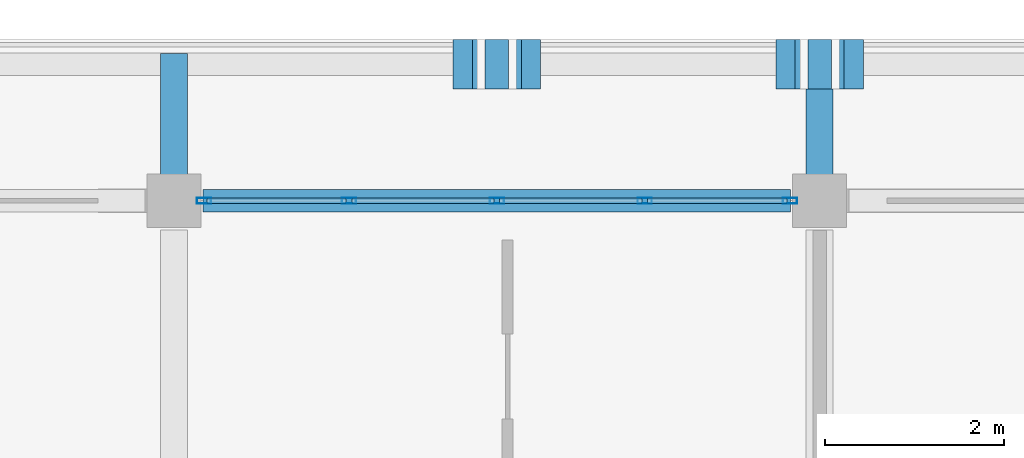
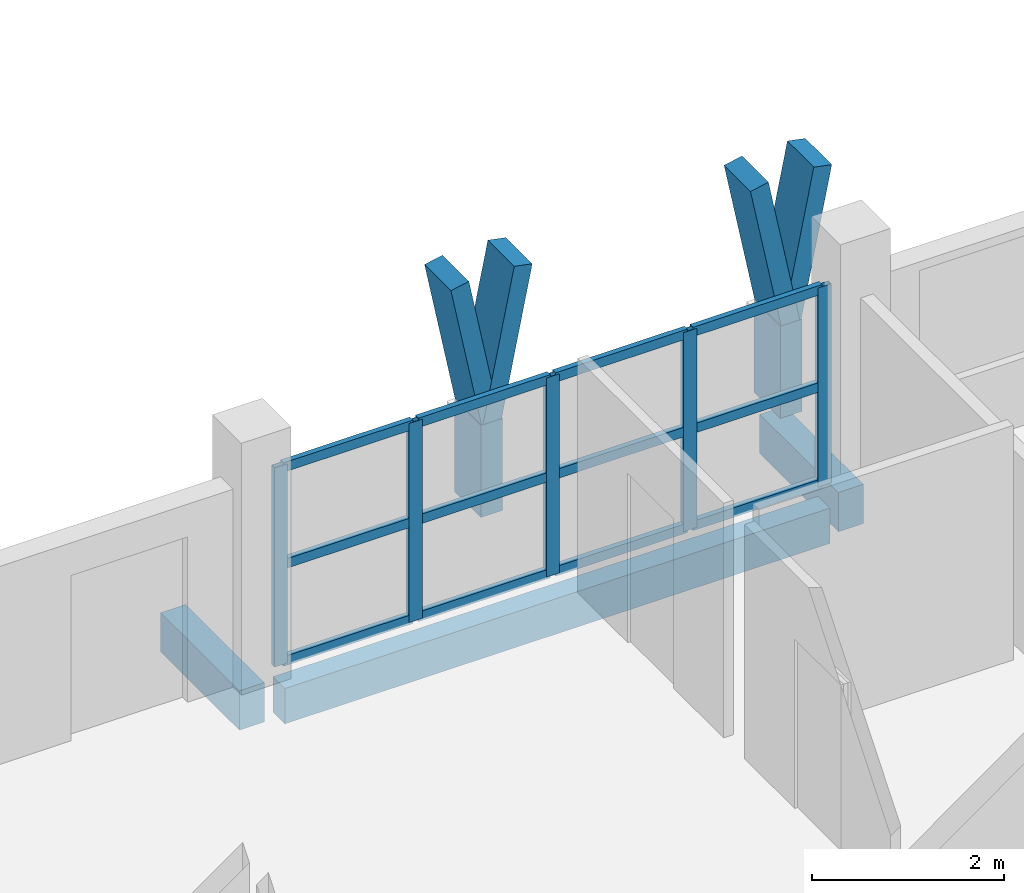
# One storey, part 17 of 73: 23 members, 3 beams, 1 element without a shape of its own.
"""IFC4 building model written with IfcOpenShell, lengths in metres."""

import ifcopenshell
import ifcopenshell.guid

model = None  # the IFC model being written
_history = None  # IfcOwnerHistory: only IFC2X3 demands one
_inside = {}  # id of a spatial element -> (the spatial element, [elements in it])
_under = {}  # id of a project, library or spatial element -> (it, [spatial elements below it])
_declared = {}  # id of a project -> (the project, [libraries it declares])
_typed = {}  # id of a type object -> (the type object, [elements of that type])
_made_of = {}  # id of a material, layer set ... -> (it, [elements and type objects made of it])


def new_model(schema):
    """Start an empty IFC model of exactly this schema.

    Asked for "IFC4X3", IfcOpenShell would pick the latest addendum, in which some entities
    have other attributes; the version numbers below select the first issue.
    IFC2X3 requires an IfcOwnerHistory on every rooted entity: one is made here for all.
    """
    global model, _history
    if schema == "IFC4X3":
        model = ifcopenshell.file(schema_version=(4, 3, 0, 0))
    else:
        model = ifcopenshell.file(schema=schema)
    _inside.clear()
    _under.clear()
    _declared.clear()
    _typed.clear()
    _made_of.clear()
    _history = None
    if model.schema == "IFC2X3":
        org = make("IfcOrganization", Name="unknown")
        user = make(
            "IfcPersonAndOrganization",
            ThePerson=make("IfcPerson", FamilyName="unknown"),
            TheOrganization=org,
        )
        app = make(
            "IfcApplication",
            ApplicationDeveloper=org,
            Version="unknown",
            ApplicationFullName="unknown",
            ApplicationIdentifier="unknown",
        )
        _history = make(
            "IfcOwnerHistory",
            OwningUser=user,
            OwningApplication=app,
            ChangeAction="ADDED",
            CreationDate=0,
        )
    return model


def make(cls, **values):
    """One entity of the class cls with the attributes given. An attribute that is None is left unset."""
    return model.create_entity(
        cls, **{name: value for name, value in values.items() if value is not None}
    )


def rooted(cls, **values):
    """An entity with a GlobalId (a new one), such as an element, a storey or a relation."""
    return make(cls, GlobalId=ifcopenshell.guid.new(), OwnerHistory=_history, **values)


def si_unit(unit_type, name, prefix=None):
    """IfcSIUnit, for example si_unit("LENGTHUNIT", "METRE", prefix="MILLI")."""
    return make("IfcSIUnit", UnitType=unit_type, Prefix=prefix, Name=name)


def assignment(units):
    """IfcUnitAssignment: the units of a project."""
    return None if units is None else make("IfcUnitAssignment", Units=units)


def point(xyz):
    """IfcCartesianPoint."""
    return None if xyz is None else make("IfcCartesianPoint", Coordinates=xyz)


def direction(xyz):
    """IfcDirection."""
    return None if xyz is None else make("IfcDirection", DirectionRatios=xyz)


def frame(location, z_axis=None, x_axis=None):
    """IfcAxis2Placement3D, a coordinate frame: its origin and axes. An axis left out is left unset."""
    return make(
        "IfcAxis2Placement3D",
        Location=point(location),
        Axis=direction(z_axis),
        RefDirection=direction(x_axis),
    )


def frame_2d(location, x_axis=None):
    """IfcAxis2Placement2D, a coordinate frame in the plane: its origin and x axis."""
    return make(
        "IfcAxis2Placement2D", Location=point(location), RefDirection=direction(x_axis)
    )


def origin():
    """The frame at (0, 0, 0) with its axes left unset."""
    return frame((0.0, 0.0, 0.0))


def origin_2d():
    """The frame at (0, 0) in the plane with its x axis left unset."""
    return frame_2d((0.0, 0.0))


def place(relative_to, where):
    """IfcLocalPlacement: puts the frame where relative to a parent placement (None: the world)."""
    return make(
        "IfcLocalPlacement", PlacementRelTo=relative_to, RelativePlacement=where
    )


def context(
    kind, dimensions, precision=None, world=None, true_north=None, identifier=None
):
    """IfcGeometricRepresentationContext, for example the 3D "Model" context."""
    return make(
        "IfcGeometricRepresentationContext",
        ContextIdentifier=identifier,
        ContextType=kind,
        CoordinateSpaceDimension=dimensions,
        Precision=precision,
        WorldCoordinateSystem=world,
        TrueNorth=true_north,
    )


def subcontext(parent, identifier, kind, view, scale=None):
    """IfcGeometricRepresentationSubContext, for example "Body" below "Model"."""
    return make(
        "IfcGeometricRepresentationSubContext",
        ContextIdentifier=identifier,
        ContextType=kind,
        ParentContext=parent,
        TargetScale=scale,
        TargetView=view,
    )


def project(units=None, contexts=None):
    """IfcProject with its units and contexts."""
    return rooted(
        "IfcProject",
        Name="project",
        RepresentationContexts=contexts,
        UnitsInContext=assignment(units),
    )


def spatial(cls, under=None, at=None, **own):
    """A site, building, storey or space (cls), placed at a placement, below another one or the project."""
    s = rooted(cls, ObjectPlacement=at, **own)
    if under is not None:
        _under.setdefault(under.id(), (under, []))[1].append(s)
    return s


def profile(cls, at=None, kind="AREA", **sizes):
    """A parametric profile (cls). Its sizes go by their IFC names, for example OverallWidth=200.0."""
    return make(cls, ProfileType=kind, Position=at, **sizes)


def rectangle(**sizes):
    """IfcRectangleProfileDef."""
    return profile("IfcRectangleProfileDef", **sizes)


def hollow_rectangle(**sizes):
    """IfcRectangleHollowProfileDef."""
    return profile("IfcRectangleHollowProfileDef", **sizes)


def extrude(swept, where, along, depth):
    """IfcExtrudedAreaSolid: the profile swept, set in the frame where, extruded along a direction by depth."""
    return make(
        "IfcExtrudedAreaSolid",
        SweptArea=swept,
        Position=where,
        ExtrudedDirection=direction(along),
        Depth=depth,
    )


def shape(context_of_items, identifier, shape_type, items):
    """IfcShapeRepresentation: the items that make up one representation, for example the "Body"."""
    return make(
        "IfcShapeRepresentation",
        ContextOfItems=context_of_items,
        RepresentationIdentifier=identifier,
        RepresentationType=shape_type,
        Items=items,
    )


def material(Name=None, Category=None):
    """IfcMaterial."""
    return make("IfcMaterial", Name=Name, Category=Category)


def material_profile(
    of_material, cross_section, Name=None, Category=None, Priority=None
):
    """IfcMaterialProfile: a cross section and its material."""
    return make(
        "IfcMaterialProfile",
        Name=Name,
        Material=of_material,
        Profile=cross_section,
        Priority=Priority,
        Category=Category,
    )


def profile_set(profiles, Name=None, composite=None):
    """IfcMaterialProfileSet."""
    return make(
        "IfcMaterialProfileSet",
        Name=Name,
        MaterialProfiles=profiles,
        CompositeProfile=composite,
    )


def made_of(thing, what):
    """Note that an element or type object is made of a material, layer set ...; save() writes the relation."""
    if what is not None:
        _made_of.setdefault(what.id(), (what, []))[1].append(thing)
    return thing


def type_object(cls, material=None, **own):
    """A type object (cls), such as IfcWallType, which elements share."""
    return made_of(rooted(cls, **own), material)


def element(
    cls,
    number,
    at=None,
    inside=None,
    cuts=None,
    type_object=None,
    material=None,
    context=None,
    identifier="Body",
    shape_type=None,
    held_by="IfcProductDefinitionShape",
    body=None,
    shapes=None,
    **own,
):
    """One element of the class cls, such as IfcWall. Its Tag is "e" and its number.

    at: its placement. inside: the storey or other place that contains it. cuts: it is an
    opening in that element (IfcRelVoidsElement). A single representation is given by context,
    identifier, shape_type and body (its items); several are given by shapes. held_by: the class
    of the entity that holds the representations. save() writes the other relations.
    """
    e = rooted(cls, Tag="e%d" % number, ObjectPlacement=at, **own)
    if body is not None:
        shapes = [shape(context, identifier, shape_type, body)]
    if shapes is not None:
        e.Representation = make(held_by, Representations=shapes)
    if inside is not None:
        _inside.setdefault(inside.id(), (inside, []))[1].append(e)
    if cuts is not None:
        rooted(
            "IfcRelVoidsElement", RelatingBuildingElement=cuts, RelatedOpeningElement=e
        )
    if type_object is not None:
        _typed.setdefault(type_object.id(), (type_object, []))[1].append(e)
    return made_of(e, material)


def aggregate(whole, parts):
    """IfcRelAggregates: a whole, such as a stair, and the parts it consists of."""
    return rooted("IfcRelAggregates", RelatingObject=whole, RelatedObjects=parts)


def save(model, path):
    """Write the relations noted so far, then the file.

    IfcRelAggregates (storeys below a building ...), IfcRelContainedInSpatialStructure (elements
    in a storey), IfcRelDefinesByType, IfcRelAssociatesMaterial and IfcRelDeclares: one each for
    every whole, place, type object, material and project.
    """
    for whole, parts in _under.values():
        aggregate(whole, parts)
    for where, things in _inside.values():
        rooted(
            "IfcRelContainedInSpatialStructure",
            RelatedElements=things,
            RelatingStructure=where,
        )
    for kind, things in _typed.values():
        rooted("IfcRelDefinesByType", RelatedObjects=things, RelatingType=kind)
    for what, things in _made_of.values():
        rooted("IfcRelAssociatesMaterial", RelatedObjects=things, RelatingMaterial=what)
    for by, libraries in _declared.values():
        rooted("IfcRelDeclares", RelatingContext=by, RelatedDefinitions=libraries)
    model.write(path)


model = new_model("IFC4")

# Units and contexts
model_context = context("Model", 3, precision=1e-05, world=origin(), true_north=direction((0.0, 1.0)))
body_context = subcontext(model_context, "Body", "Model", "MODEL_VIEW")
ifc_project = project(units=[si_unit("LENGTHUNIT", "METRE"), si_unit("AREAUNIT", "SQUARE_METRE"), si_unit("VOLUMEUNIT", "CUBIC_METRE"), si_unit("PLANEANGLEUNIT", "RADIAN"), si_unit("MASSUNIT", "GRAM", prefix="KILO")], contexts=[model_context])

# Site, building, storey
site_placement = place(None, origin())
site = spatial("IfcSite", under=ifc_project, at=site_placement, CompositionType="ELEMENT")
building_placement = place(site_placement, origin())
building = spatial("IfcBuilding", under=site, at=building_placement, Name="Suanplinth Sawtooth Commons", CompositionType="ELEMENT")
storey_placement = place(building_placement, frame((0.0, 0.0, 21.89990234375)))
storey = spatial("IfcBuildingStorey", under=building, at=storey_placement, Name="L06", CompositionType="ELEMENT", Elevation=21.89990234375)

# Beams
ifc_material_1 = material(Name="Precast concrete C40/50", Category="concrete")
ifc_material_profile_1 = material_profile(ifc_material_1, rectangle(XDim=0.300048828125, YDim=0.5, at=origin_2d()), Name="PC-BM 300x500")
ifc_profile_set_1 = profile_set([ifc_material_profile_1], Name="Precast concrete C40/50")
beam_type_1 = type_object("IfcBeamType", Name="B-07", PredefinedType="BEAM", material=ifc_profile_set_1)
for number, where, z_axis, x_axis, name in (
    (1, (86.39990234375, 122.39990234375, -0.429931640625), (0.0, 1.0, 0.0), (-1.0, 0.0, 0.0), "Balcony Outrigger L06-A-N-12"),
    (2, (93.60009765625, 122.39990234375, -0.429931640625), (0.0, 1.0, 0.0), (-1.0, 0.0, 0.0), "Balcony Outrigger L06-A-N-13"),
):
    element("IfcBeam", number, at=place(storey_placement, frame(where, z_axis=z_axis, x_axis=x_axis)), inside=storey, type_object=beam_type_1, Name=name, PredefinedType="BEAM", context=body_context, shape_type="SweptSolid", body=[
        extrude(rectangle(XDim=0.300048828125, YDim=0.5, at=origin_2d()), origin(), (0.0, 0.0, 1.0), 1.64013671875),
    ])
ifc_material_profile_2 = material_profile(ifc_material_1, rectangle(XDim=0.25, YDim=0.449951171875, at=origin_2d()), Name="PC-SP 250x450")
ifc_profile_set_2 = profile_set([ifc_material_profile_2], Name="Precast concrete C40/50")
beam_type_2 = type_object("IfcBeamType", Name="B-09", PredefinedType="SPANDREL", material=ifc_profile_set_2)
beam_placement = place(storey_placement, frame((86.72509765625, 122.39990234375, -0.46484375), z_axis=(1.0, 0.0, 0.0), x_axis=(0.0, 1.0, 0.0)))
element("IfcBeam", 3, at=beam_placement, inside=storey, type_object=beam_type_2, Name="BMX-L06-A-12-17", PredefinedType="SPANDREL", context=body_context, shape_type="SweptSolid", body=[
    extrude(rectangle(XDim=0.25, YDim=0.449951171875, at=origin_2d()), origin(), (0.0, 0.0, 1.0), 6.5498046875),
])

# Members
ifc_material_2 = material(Name="Pigmented precast concrete C40/50", Category="concrete")
ifc_material_profile_3 = material_profile(ifc_material_2, rectangle(XDim=0.260009765625, YDim=0.550048828125, at=origin_2d()), Name="PC-FIN 260x550")
ifc_profile_set_3 = profile_set([ifc_material_profile_3], Name="Pigmented precast concrete C40/50")
member_type_1 = type_object("IfcMemberType", Name="M-09", PredefinedType="USERDEFINED", material=ifc_profile_set_3)
for number, where, z_axis, x_axis, name in (
    (4, (90.0, 123.919921875, 0.0), (0.0, 0.0, 1.0), (1.0, 0.0, 0.0), "Y-Blade Stem L06-A-N-07"),
    (5, (93.60009765625, 123.919921875, 0.0), (0.0, 0.0, 1.0), (1.0, 0.0, 0.0), "Y-Blade Stem L06-A-N-08"),
):
    element("IfcMember", number, at=place(storey_placement, frame(where, z_axis=z_axis, x_axis=x_axis)), inside=storey, type_object=member_type_1, Name=name, ObjectType="SHADING FIN", PredefinedType="USERDEFINED", context=body_context, shape_type="SweptSolid", body=[
        extrude(rectangle(XDim=0.260009765625, YDim=0.550048828125, at=origin_2d()), origin(), (0.0, 0.0, 1.0), 1.170166015625),
    ])
ifc_material_profile_4 = material_profile(ifc_material_2, rectangle(XDim=0.219970703125, YDim=0.550048828125, at=origin_2d()), Name="PC-FIN 220x550")
ifc_profile_set_4 = profile_set([ifc_material_profile_4], Name="Pigmented precast concrete C40/50")
member_type_2 = type_object("IfcMemberType", Name="M-10", PredefinedType="USERDEFINED", material=ifc_profile_set_4)
for number, where, z_axis, x_axis, name in (
    (6, (90.0, 123.919921875, 1.130126953125), (-0.196431120402, 0.0, 0.980517626021), (0.980517626021, 0.0, 0.196431120402), "Y-Blade Arm L L06-A-N-07"),
    (7, (90.0, 123.919921875, 1.130126953125), (0.196431120402, 0.0, 0.980517626021), (-0.980517626021, 0.0, 0.196431120402), "Y-Blade Arm R L06-A-N-07"),
    (8, (93.60009765625, 123.919921875, 1.130126953125), (-0.196431120402, 0.0, 0.980517626021), (0.980517626021, 0.0, 0.196431120402), "Y-Blade Arm L L06-A-N-08"),
):
    element("IfcMember", number, at=place(storey_placement, frame(where, z_axis=z_axis, x_axis=x_axis)), inside=storey, type_object=member_type_2, Name=name, ObjectType="SHADING FIN", PredefinedType="USERDEFINED", context=body_context, shape_type="SweptSolid", body=[
        extrude(rectangle(XDim=0.219970703125, YDim=0.550048828125, at=origin_2d()), origin(), (0.0, 0.0, 1.0), 1.937744140625),
    ])
member_1_placement = place(storey_placement, frame((93.60009765625, 123.919921875, 1.130126953125), z_axis=(0.196309979414, 0.0, 0.980541886909), x_axis=(-0.980541886909, 0.0, 0.196309979414)))
element("IfcMember", 9, at=member_1_placement, inside=storey, type_object=member_type_2, Name="Y-Blade Arm R L06-A-N-08", ObjectType="SHADING FIN", PredefinedType="USERDEFINED", context=body_context, shape_type="SweptSolid", body=[
    extrude(rectangle(XDim=0.219970703125, YDim=0.550048828125, at=origin_2d()), origin(), (0.0, 0.0, 1.0), 1.9375),
])

# Curtain wall, members
ifc_material_3 = material(Name="Anodized aluminium and low-E glazing", Category="aluminium")
curtain_wall_type = type_object("IfcCurtainWallType", Name="CW-06", PredefinedType="USERDEFINED", material=ifc_material_3)
curtain_wall_placement = place(storey_placement, origin())
curtain_wall = element("IfcCurtainWall", 10, at=curtain_wall_placement, inside=storey, type_object=curtain_wall_type, Name="Curtain Wall CW-L06-A-LOUNGE-11", ObjectType="CURTAIN WALL", PredefinedType="USERDEFINED")
ifc_material_4 = material(Name="Anodized aluminium 6063-T6", Category="aluminium")
ifc_material_profile_5 = material_profile(ifc_material_4, hollow_rectangle(XDim=0.06494140625, YDim=0.159912109375, WallThickness=0.00390625, at=origin_2d()), Name="ALU-MUL 65x160")
ifc_profile_set_5 = profile_set([ifc_material_profile_5], Name="Anodized aluminium 6063-T6")
member_type_3 = type_object("IfcMemberType", Name="M-13", PredefinedType="MULLION", material=ifc_profile_set_5)
member_2_placement = place(storey_placement, frame((86.732421875, 122.39990234375, 0.0), z_axis=(0.0, 0.0, 1.0), x_axis=(0.0, 1.0, 0.0)))
member_2 = element("IfcMember", 11, at=member_2_placement, type_object=member_type_3, Name="CW-06 mullion 1", PredefinedType="MULLION", context=body_context, shape_type="SweptSolid", body=[
    extrude(hollow_rectangle(XDim=0.06494140625, YDim=0.159912109375, WallThickness=0.00390625, at=origin_2d()), origin(), (0.0, 0.0, 1.0), 2.530029296875),
])
member_3_placement = place(storey_placement, frame((88.35009765625, 122.39990234375, 0.0), z_axis=(0.0, 0.0, 1.0), x_axis=(0.0, 1.0, 0.0)))
member_3 = element("IfcMember", 12, at=member_3_placement, type_object=member_type_3, Name="CW-06 mullion 2", PredefinedType="MULLION", context=body_context, shape_type="SweptSolid", body=[
    extrude(hollow_rectangle(XDim=0.06494140625, YDim=0.159912109375, WallThickness=0.00390625, at=origin_2d()), origin(), (0.0, 0.0, 1.0), 2.530029296875),
])
member_4_placement = place(storey_placement, frame((90.0, 122.39990234375, 0.0), z_axis=(0.0, 0.0, 1.0), x_axis=(0.0, 1.0, 0.0)))
member_4 = element("IfcMember", 13, at=member_4_placement, type_object=member_type_3, Name="CW-06 mullion 3", PredefinedType="MULLION", context=body_context, shape_type="SweptSolid", body=[
    extrude(hollow_rectangle(XDim=0.06494140625, YDim=0.159912109375, WallThickness=0.00390625, at=origin_2d()), origin(), (0.0, 0.0, 1.0), 2.530029296875),
])
member_5_placement = place(storey_placement, frame((91.64990234375, 122.39990234375, 0.0), z_axis=(0.0, 0.0, 1.0), x_axis=(0.0, 1.0, 0.0)))
member_5 = element("IfcMember", 14, at=member_5_placement, type_object=member_type_3, Name="CW-06 mullion 4", PredefinedType="MULLION", context=body_context, shape_type="SweptSolid", body=[
    extrude(hollow_rectangle(XDim=0.06494140625, YDim=0.159912109375, WallThickness=0.00390625, at=origin_2d()), origin(), (0.0, 0.0, 1.0), 2.530029296875),
])
member_6_placement = place(storey_placement, frame((93.267578125, 122.39990234375, 0.0), z_axis=(0.0, 0.0, 1.0), x_axis=(0.0, 1.0, 0.0)))
member_6 = element("IfcMember", 15, at=member_6_placement, type_object=member_type_3, Name="CW-06 mullion 5", PredefinedType="MULLION", context=body_context, shape_type="SweptSolid", body=[
    extrude(hollow_rectangle(XDim=0.06494140625, YDim=0.159912109375, WallThickness=0.00390625, at=origin_2d()), origin(), (0.0, 0.0, 1.0), 2.530029296875),
])
ifc_material_profile_6 = material_profile(ifc_material_4, hollow_rectangle(XDim=0.06494140625, YDim=0.1201171875, WallThickness=0.00390625, at=origin_2d()), Name="ALU-TRN 65x120")
ifc_profile_set_6 = profile_set([ifc_material_profile_6], Name="Anodized aluminium 6063-T6")
member_type_4 = type_object("IfcMemberType", Name="M-15", PredefinedType="USERDEFINED", material=ifc_profile_set_6)
member_7_placement = place(storey_placement, frame((86.764892578125, 122.39990234375, 0.03271484375), z_axis=(1.0, 0.0, 0.0), x_axis=(0.0, 1.0, 0.0)))
member_7 = element("IfcMember", 16, at=member_7_placement, type_object=member_type_4, Name="CW-06 transom 1.1", ObjectType="TRANSOM", PredefinedType="USERDEFINED", context=body_context, shape_type="SweptSolid", body=[
    extrude(hollow_rectangle(XDim=0.06494140625, YDim=0.1201171875, WallThickness=0.00390625, at=origin_2d()), origin(), (0.0, 0.0, 1.0), 1.552490234375),
])
member_8_placement = place(storey_placement, frame((86.764892578125, 122.39990234375, 1.26513671875), z_axis=(1.0, 0.0, 0.0), x_axis=(0.0, 1.0, 0.0)))
member_8 = element("IfcMember", 17, at=member_8_placement, type_object=member_type_4, Name="CW-06 transom 1.2", ObjectType="TRANSOM", PredefinedType="USERDEFINED", context=body_context, shape_type="SweptSolid", body=[
    extrude(hollow_rectangle(XDim=0.06494140625, YDim=0.1201171875, WallThickness=0.00390625, at=origin_2d()), origin(), (0.0, 0.0, 1.0), 1.552490234375),
])
member_9_placement = place(storey_placement, frame((86.764892578125, 122.39990234375, 2.49755859375), z_axis=(1.0, 0.0, 0.0), x_axis=(0.0, 1.0, 0.0)))
member_9 = element("IfcMember", 18, at=member_9_placement, type_object=member_type_4, Name="CW-06 transom 1.3", ObjectType="TRANSOM", PredefinedType="USERDEFINED", context=body_context, shape_type="SweptSolid", body=[
    extrude(hollow_rectangle(XDim=0.06494140625, YDim=0.1201171875, WallThickness=0.00390625, at=origin_2d()), origin(), (0.0, 0.0, 1.0), 1.552490234375),
])
member_10_placement = place(storey_placement, frame((88.382568359375, 122.39990234375, 0.03271484375), z_axis=(1.0, 0.0, 0.0), x_axis=(0.0, 1.0, 0.0)))
member_10 = element("IfcMember", 19, at=member_10_placement, type_object=member_type_4, Name="CW-06 transom 2.1", ObjectType="TRANSOM", PredefinedType="USERDEFINED", context=body_context, shape_type="SweptSolid", body=[
    extrude(hollow_rectangle(XDim=0.06494140625, YDim=0.1201171875, WallThickness=0.00390625, at=origin_2d()), origin(), (0.0, 0.0, 1.0), 1.5849609375),
])
member_11_placement = place(storey_placement, frame((88.382568359375, 122.39990234375, 1.26513671875), z_axis=(1.0, 0.0, 0.0), x_axis=(0.0, 1.0, 0.0)))
member_11 = element("IfcMember", 20, at=member_11_placement, type_object=member_type_4, Name="CW-06 transom 2.2", ObjectType="TRANSOM", PredefinedType="USERDEFINED", context=body_context, shape_type="SweptSolid", body=[
    extrude(hollow_rectangle(XDim=0.06494140625, YDim=0.1201171875, WallThickness=0.00390625, at=origin_2d()), origin(), (0.0, 0.0, 1.0), 1.5849609375),
])
member_12_placement = place(storey_placement, frame((88.382568359375, 122.39990234375, 2.49755859375), z_axis=(1.0, 0.0, 0.0), x_axis=(0.0, 1.0, 0.0)))
member_12 = element("IfcMember", 21, at=member_12_placement, type_object=member_type_4, Name="CW-06 transom 2.3", ObjectType="TRANSOM", PredefinedType="USERDEFINED", context=body_context, shape_type="SweptSolid", body=[
    extrude(hollow_rectangle(XDim=0.06494140625, YDim=0.1201171875, WallThickness=0.00390625, at=origin_2d()), origin(), (0.0, 0.0, 1.0), 1.5849609375),
])
member_13_placement = place(storey_placement, frame((90.032470703125, 122.39990234375, 0.03271484375), z_axis=(1.0, 0.0, 0.0), x_axis=(0.0, 1.0, 0.0)))
member_13 = element("IfcMember", 22, at=member_13_placement, type_object=member_type_4, Name="CW-06 transom 3.1", ObjectType="TRANSOM", PredefinedType="USERDEFINED", context=body_context, shape_type="SweptSolid", body=[
    extrude(hollow_rectangle(XDim=0.06494140625, YDim=0.1201171875, WallThickness=0.00390625, at=origin_2d()), origin(), (0.0, 0.0, 1.0), 1.5849609375),
])
member_14_placement = place(storey_placement, frame((90.032470703125, 122.39990234375, 1.26513671875), z_axis=(1.0, 0.0, 0.0), x_axis=(0.0, 1.0, 0.0)))
member_14 = element("IfcMember", 23, at=member_14_placement, type_object=member_type_4, Name="CW-06 transom 3.2", ObjectType="TRANSOM", PredefinedType="USERDEFINED", context=body_context, shape_type="SweptSolid", body=[
    extrude(hollow_rectangle(XDim=0.06494140625, YDim=0.1201171875, WallThickness=0.00390625, at=origin_2d()), origin(), (0.0, 0.0, 1.0), 1.5849609375),
])
member_15_placement = place(storey_placement, frame((90.032470703125, 122.39990234375, 2.49755859375), z_axis=(1.0, 0.0, 0.0), x_axis=(0.0, 1.0, 0.0)))
member_15 = element("IfcMember", 24, at=member_15_placement, type_object=member_type_4, Name="CW-06 transom 3.3", ObjectType="TRANSOM", PredefinedType="USERDEFINED", context=body_context, shape_type="SweptSolid", body=[
    extrude(hollow_rectangle(XDim=0.06494140625, YDim=0.1201171875, WallThickness=0.00390625, at=origin_2d()), origin(), (0.0, 0.0, 1.0), 1.5849609375),
])
member_16_placement = place(storey_placement, frame((91.6826171875, 122.39990234375, 0.03271484375), z_axis=(1.0, 0.0, 0.0), x_axis=(0.0, 1.0, 0.0)))
member_16 = element("IfcMember", 25, at=member_16_placement, type_object=member_type_4, Name="CW-06 transom 4.1", ObjectType="TRANSOM", PredefinedType="USERDEFINED", context=body_context, shape_type="SweptSolid", body=[
    extrude(hollow_rectangle(XDim=0.06494140625, YDim=0.1201171875, WallThickness=0.00390625, at=origin_2d()), origin(), (0.0, 0.0, 1.0), 1.552490234375),
])
member_17_placement = place(storey_placement, frame((91.6826171875, 122.39990234375, 1.26513671875), z_axis=(1.0, 0.0, 0.0), x_axis=(0.0, 1.0, 0.0)))
member_17 = element("IfcMember", 26, at=member_17_placement, type_object=member_type_4, Name="CW-06 transom 4.2", ObjectType="TRANSOM", PredefinedType="USERDEFINED", context=body_context, shape_type="SweptSolid", body=[
    extrude(hollow_rectangle(XDim=0.06494140625, YDim=0.1201171875, WallThickness=0.00390625, at=origin_2d()), origin(), (0.0, 0.0, 1.0), 1.552490234375),
])
member_18_placement = place(storey_placement, frame((91.6826171875, 122.39990234375, 2.49755859375), z_axis=(1.0, 0.0, 0.0), x_axis=(0.0, 1.0, 0.0)))
member_18 = element("IfcMember", 27, at=member_18_placement, type_object=member_type_4, Name="CW-06 transom 4.3", ObjectType="TRANSOM", PredefinedType="USERDEFINED", context=body_context, shape_type="SweptSolid", body=[
    extrude(hollow_rectangle(XDim=0.06494140625, YDim=0.1201171875, WallThickness=0.00390625, at=origin_2d()), origin(), (0.0, 0.0, 1.0), 1.552490234375),
])
aggregate(curtain_wall, [member_2, member_3, member_4, member_5, member_6, member_7, member_8, member_9, member_10, member_11, member_12, member_13, member_14, member_15, member_16, member_17, member_18])

save(model, "model.ifc")
